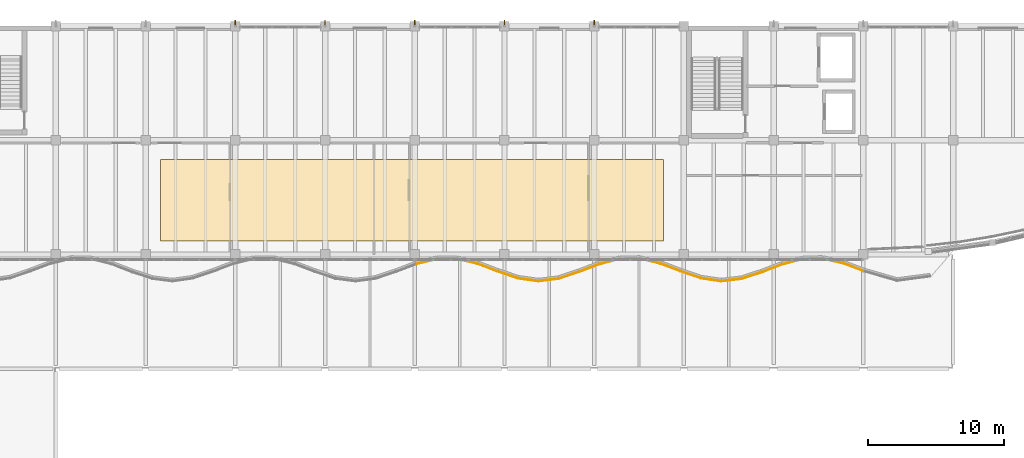
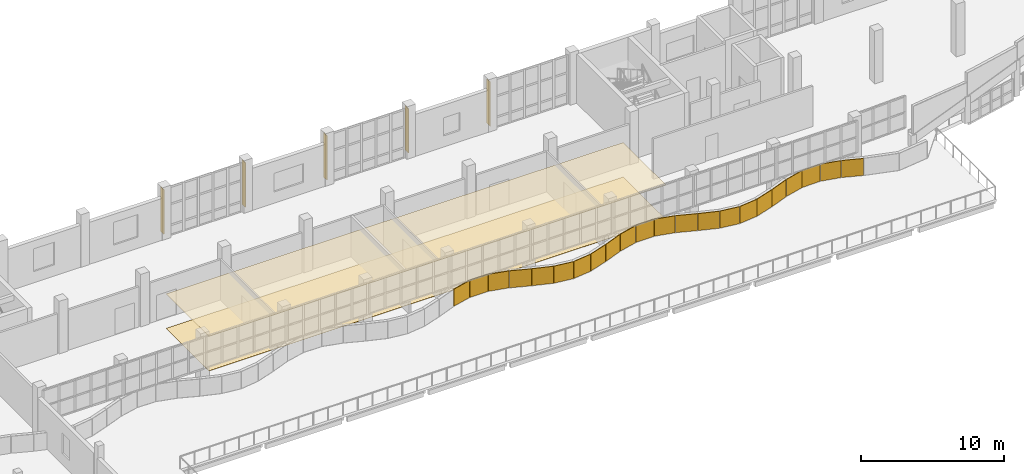
# One storey, part 76 of 83: 24 coverings, 5 shading devices.
"""IFC4 building model written with IfcOpenShell, lengths in metres."""

import ifcopenshell
import ifcopenshell.guid

model = None  # the IFC model being written
_history = None  # IfcOwnerHistory: only IFC2X3 demands one
_inside = {}  # id of a spatial element -> (the spatial element, [elements in it])
_under = {}  # id of a project, library or spatial element -> (it, [spatial elements below it])
_declared = {}  # id of a project -> (the project, [libraries it declares])
_typed = {}  # id of a type object -> (the type object, [elements of that type])
_made_of = {}  # id of a material, layer set ... -> (it, [elements and type objects made of it])


def new_model(schema):
    """Start an empty IFC model of exactly this schema.

    Asked for "IFC4X3", IfcOpenShell would pick the latest addendum, in which some entities
    have other attributes; the version numbers below select the first issue.
    IFC2X3 requires an IfcOwnerHistory on every rooted entity: one is made here for all.
    """
    global model, _history
    if schema == "IFC4X3":
        model = ifcopenshell.file(schema_version=(4, 3, 0, 0))
    else:
        model = ifcopenshell.file(schema=schema)
    _inside.clear()
    _under.clear()
    _declared.clear()
    _typed.clear()
    _made_of.clear()
    _history = None
    if model.schema == "IFC2X3":
        org = make("IfcOrganization", Name="unknown")
        user = make(
            "IfcPersonAndOrganization",
            ThePerson=make("IfcPerson", FamilyName="unknown"),
            TheOrganization=org,
        )
        app = make(
            "IfcApplication",
            ApplicationDeveloper=org,
            Version="unknown",
            ApplicationFullName="unknown",
            ApplicationIdentifier="unknown",
        )
        _history = make(
            "IfcOwnerHistory",
            OwningUser=user,
            OwningApplication=app,
            ChangeAction="ADDED",
            CreationDate=0,
        )
    return model


def make(cls, **values):
    """One entity of the class cls with the attributes given. An attribute that is None is left unset."""
    return model.create_entity(
        cls, **{name: value for name, value in values.items() if value is not None}
    )


def rooted(cls, **values):
    """An entity with a GlobalId (a new one), such as an element, a storey or a relation."""
    return make(cls, GlobalId=ifcopenshell.guid.new(), OwnerHistory=_history, **values)


def si_unit(unit_type, name, prefix=None):
    """IfcSIUnit, for example si_unit("LENGTHUNIT", "METRE", prefix="MILLI")."""
    return make("IfcSIUnit", UnitType=unit_type, Prefix=prefix, Name=name)


def assignment(units):
    """IfcUnitAssignment: the units of a project."""
    return None if units is None else make("IfcUnitAssignment", Units=units)


def point(xyz):
    """IfcCartesianPoint."""
    return None if xyz is None else make("IfcCartesianPoint", Coordinates=xyz)


def direction(xyz):
    """IfcDirection."""
    return None if xyz is None else make("IfcDirection", DirectionRatios=xyz)


def frame(location, z_axis=None, x_axis=None):
    """IfcAxis2Placement3D, a coordinate frame: its origin and axes. An axis left out is left unset."""
    return make(
        "IfcAxis2Placement3D",
        Location=point(location),
        Axis=direction(z_axis),
        RefDirection=direction(x_axis),
    )


def frame_2d(location, x_axis=None):
    """IfcAxis2Placement2D, a coordinate frame in the plane: its origin and x axis."""
    return make(
        "IfcAxis2Placement2D", Location=point(location), RefDirection=direction(x_axis)
    )


def origin():
    """The frame at (0, 0, 0) with its axes left unset."""
    return frame((0.0, 0.0, 0.0))


def origin_2d():
    """The frame at (0, 0) in the plane with its x axis left unset."""
    return frame_2d((0.0, 0.0))


def place(relative_to, where):
    """IfcLocalPlacement: puts the frame where relative to a parent placement (None: the world)."""
    return make(
        "IfcLocalPlacement", PlacementRelTo=relative_to, RelativePlacement=where
    )


def context(
    kind, dimensions, precision=None, world=None, true_north=None, identifier=None
):
    """IfcGeometricRepresentationContext, for example the 3D "Model" context."""
    return make(
        "IfcGeometricRepresentationContext",
        ContextIdentifier=identifier,
        ContextType=kind,
        CoordinateSpaceDimension=dimensions,
        Precision=precision,
        WorldCoordinateSystem=world,
        TrueNorth=true_north,
    )


def subcontext(parent, identifier, kind, view, scale=None):
    """IfcGeometricRepresentationSubContext, for example "Body" below "Model"."""
    return make(
        "IfcGeometricRepresentationSubContext",
        ContextIdentifier=identifier,
        ContextType=kind,
        ParentContext=parent,
        TargetScale=scale,
        TargetView=view,
    )


def project(units=None, contexts=None):
    """IfcProject with its units and contexts."""
    return rooted(
        "IfcProject",
        Name="project",
        RepresentationContexts=contexts,
        UnitsInContext=assignment(units),
    )


def spatial(cls, under=None, at=None, **own):
    """A site, building, storey or space (cls), placed at a placement, below another one or the project."""
    s = rooted(cls, ObjectPlacement=at, **own)
    if under is not None:
        _under.setdefault(under.id(), (under, []))[1].append(s)
    return s


def polyline(points):
    """IfcPolyline through the points."""
    return make("IfcPolyline", Points=[point(p) for p in points])


def profile(cls, at=None, kind="AREA", **sizes):
    """A parametric profile (cls). Its sizes go by their IFC names, for example OverallWidth=200.0."""
    return make(cls, ProfileType=kind, Position=at, **sizes)


def rectangle(**sizes):
    """IfcRectangleProfileDef."""
    return profile("IfcRectangleProfileDef", **sizes)


def outline(outer, holes=None, kind="AREA"):
    """IfcArbitraryClosedProfileDef: a profile drawn as a closed curve; with holes, ...WithVoids."""
    if holes is None:
        return make("IfcArbitraryClosedProfileDef", ProfileType=kind, OuterCurve=outer)
    return make(
        "IfcArbitraryProfileDefWithVoids",
        ProfileType=kind,
        OuterCurve=outer,
        InnerCurves=holes,
    )


def extrude(swept, where, along, depth):
    """IfcExtrudedAreaSolid: the profile swept, set in the frame where, extruded along a direction by depth."""
    return make(
        "IfcExtrudedAreaSolid",
        SweptArea=swept,
        Position=where,
        ExtrudedDirection=direction(along),
        Depth=depth,
    )


def shape(context_of_items, identifier, shape_type, items):
    """IfcShapeRepresentation: the items that make up one representation, for example the "Body"."""
    return make(
        "IfcShapeRepresentation",
        ContextOfItems=context_of_items,
        RepresentationIdentifier=identifier,
        RepresentationType=shape_type,
        Items=items,
    )


def material(Name=None, Category=None):
    """IfcMaterial."""
    return make("IfcMaterial", Name=Name, Category=Category)


def layer(
    of_material, thickness, ventilated=None, Name=None, Category=None, Priority=None
):
    """IfcMaterialLayer: one layer of a wall or slab, of a material (None: an air gap)."""
    return make(
        "IfcMaterialLayer",
        Material=of_material,
        LayerThickness=thickness,
        IsVentilated=ventilated,
        Name=Name,
        Category=Category,
        Priority=Priority,
    )


def layer_set(layers, Name=None):
    """IfcMaterialLayerSet."""
    return make("IfcMaterialLayerSet", MaterialLayers=layers, LayerSetName=Name)


def made_of(thing, what):
    """Note that an element or type object is made of a material, layer set ...; save() writes the relation."""
    if what is not None:
        _made_of.setdefault(what.id(), (what, []))[1].append(thing)
    return thing


def type_object(cls, material=None, **own):
    """A type object (cls), such as IfcWallType, which elements share."""
    return made_of(rooted(cls, **own), material)


def element(
    cls,
    number,
    at=None,
    inside=None,
    cuts=None,
    type_object=None,
    material=None,
    context=None,
    identifier="Body",
    shape_type=None,
    held_by="IfcProductDefinitionShape",
    body=None,
    shapes=None,
    **own,
):
    """One element of the class cls, such as IfcWall. Its Tag is "e" and its number.

    at: its placement. inside: the storey or other place that contains it. cuts: it is an
    opening in that element (IfcRelVoidsElement). A single representation is given by context,
    identifier, shape_type and body (its items); several are given by shapes. held_by: the class
    of the entity that holds the representations. save() writes the other relations.
    """
    e = rooted(cls, Tag="e%d" % number, ObjectPlacement=at, **own)
    if body is not None:
        shapes = [shape(context, identifier, shape_type, body)]
    if shapes is not None:
        e.Representation = make(held_by, Representations=shapes)
    if inside is not None:
        _inside.setdefault(inside.id(), (inside, []))[1].append(e)
    if cuts is not None:
        rooted(
            "IfcRelVoidsElement", RelatingBuildingElement=cuts, RelatedOpeningElement=e
        )
    if type_object is not None:
        _typed.setdefault(type_object.id(), (type_object, []))[1].append(e)
    return made_of(e, material)


def aggregate(whole, parts):
    """IfcRelAggregates: a whole, such as a stair, and the parts it consists of."""
    return rooted("IfcRelAggregates", RelatingObject=whole, RelatedObjects=parts)


def save(model, path):
    """Write the relations noted so far, then the file.

    IfcRelAggregates (storeys below a building ...), IfcRelContainedInSpatialStructure (elements
    in a storey), IfcRelDefinesByType, IfcRelAssociatesMaterial and IfcRelDeclares: one each for
    every whole, place, type object, material and project.
    """
    for whole, parts in _under.values():
        aggregate(whole, parts)
    for where, things in _inside.values():
        rooted(
            "IfcRelContainedInSpatialStructure",
            RelatedElements=things,
            RelatingStructure=where,
        )
    for kind, things in _typed.values():
        rooted("IfcRelDefinesByType", RelatedObjects=things, RelatingType=kind)
    for what, things in _made_of.values():
        rooted("IfcRelAssociatesMaterial", RelatedObjects=things, RelatingMaterial=what)
    for by, libraries in _declared.values():
        rooted("IfcRelDeclares", RelatingContext=by, RelatedDefinitions=libraries)
    model.write(path)


model = new_model("IFC4")

# Units and contexts
model_context = context("Model", 3, precision=1e-05, world=origin(), true_north=direction((0.0, 1.0)))
body_context = subcontext(model_context, "Body", "Model", "MODEL_VIEW")
ifc_project = project(units=[si_unit("LENGTHUNIT", "METRE"), si_unit("AREAUNIT", "SQUARE_METRE"), si_unit("VOLUMEUNIT", "CUBIC_METRE"), si_unit("PLANEANGLEUNIT", "RADIAN"), si_unit("MASSUNIT", "GRAM", prefix="KILO")], contexts=[model_context])

# Site, building, storey
site_placement = place(None, origin())
site = spatial("IfcSite", under=ifc_project, at=site_placement, CompositionType="ELEMENT")
building_placement = place(site_placement, origin())
building = spatial("IfcBuilding", under=site, at=building_placement, Name="Qaldarim Faculty of Natural and Applied Sciences", CompositionType="ELEMENT")
storey_placement = place(building_placement, frame((0.0, 0.0, 5.39990234375)))
storey = spatial("IfcBuildingStorey", under=building, at=storey_placement, Name="L01", CompositionType="ELEMENT", Elevation=5.39990234375)

# Coverings
ifc_material_1 = material(Name="Acoustic mineral fibre")
ifc_layer_1 = layer(ifc_material_1, 0.02001953125)
ifc_layer_set_1 = layer_set([ifc_layer_1], Name="Acoustic mineral fibre")
covering_type_1 = type_object("IfcCoveringType", Name="AcousticMineralCeiling-20", PredefinedType="CEILING", material=ifc_layer_set_1)
covering_1_placement = place(storey_placement, frame((0.0, 0.0, 2.9501953125)))
element("IfcCovering", 1, at=covering_1_placement, inside=storey, type_object=covering_type_1, Name="Acoustic mineral-fibre laboratory ceiling L01", PredefinedType="CEILING", context=body_context, shape_type="SweptSolid", body=[
    extrude(outline(polyline([(60.5, 101.800048828125), (97.5, 101.800048828125), (97.5, 107.800048828125), (60.5, 107.800048828125), (60.5, 101.800048828125)])), origin(), (0.0, 0.0, 1.0), 0.02001953125),
])
ifc_material_2 = material(Name="Chemical-resistant epoxy finish")
ifc_layer_2 = layer(ifc_material_2, 0.014892578125)
ifc_layer_set_2 = layer_set([ifc_layer_2], Name="Chemical-resistant epoxy finish")
covering_type_2 = type_object("IfcCoveringType", Name="LabEpoxyFlooring-15", PredefinedType="FLOORING", material=ifc_layer_set_2)
covering_2_placement = place(storey_placement, origin())
element("IfcCovering", 2, at=covering_2_placement, inside=storey, type_object=covering_type_2, Name="Chemical-resistant epoxy laboratory flooring L01", PredefinedType="FLOORING", context=body_context, shape_type="SweptSolid", body=[
    extrude(outline(polyline([(60.5, 101.800048828125), (97.5, 101.800048828125), (97.5, 107.800048828125), (60.5, 107.800048828125), (60.5, 101.800048828125)])), origin(), (0.0, 0.0, 1.0), 0.01513671875),
])
ifc_material_3 = material(Name="White architectural precast concrete C40/50", Category="concrete")
ifc_layer_3 = layer(ifc_material_3, 0.06005859375)
ifc_layer_set_3 = layer_set([ifc_layer_3], Name="White architectural precast concrete C40/50")
covering_type_3 = type_object("IfcCoveringType", Name="LimestoneSpandrelCladding-60", PredefinedType="CLADDING", material=ifc_layer_set_3)
covering_3_placement = place(storey_placement, frame((80.06494140625, 100.284912109375, 0.0), z_axis=(0.0, 0.0, 1.0), x_axis=(0.969952747754, 0.243293376657, 0.0)))
element("IfcCovering", 3, at=covering_3_placement, inside=storey, type_object=covering_type_3, Name="White limestone wave band fascia L01 chord 32", PredefinedType="CLADDING", context=body_context, shape_type="SweptSolid", body=[
    extrude(rectangle(XDim=1.5, YDim=0.06005859375, at=origin_2d()), origin(), (0.0, 0.0, 1.0), 1.449951171875),
])
covering_4_placement = place(storey_placement, frame((81.570068359375, 100.47998046875, 0.0), z_axis=(0.0, 0.0, 1.0), x_axis=(0.999994385297, 0.003351025892, 0.0)))
element("IfcCovering", 4, at=covering_4_placement, inside=storey, type_object=covering_type_3, Name="White limestone wave band fascia L01 chord 33", PredefinedType="CLADDING", context=body_context, shape_type="SweptSolid", body=[
    extrude(rectangle(XDim=1.455078125, YDim=0.06005859375, at=origin_2d()), origin(), (0.0, 0.0, 1.0), 1.449951171875),
])
covering_5_placement = place(storey_placement, frame((83.070068359375, 100.294921875, 0.0), z_axis=(0.0, 0.0, 1.0), x_axis=(0.9714663887, -0.23717726625, 0.0)))
element("IfcCovering", 5, at=covering_5_placement, inside=storey, type_object=covering_type_3, Name="White limestone wave band fascia L01 chord 34", PredefinedType="CLADDING", context=body_context, shape_type="SweptSolid", body=[
    extrude(rectangle(XDim=1.5, YDim=0.06005859375, at=origin_2d()), origin(), (0.0, 0.0, 1.0), 1.449951171875),
])
covering_6_placement = place(storey_placement, frame((84.56494140625, 99.824951171875, 0.0), z_axis=(0.0, 0.0, 1.0), x_axis=(0.933992617259, -0.357292304571, 0.0)))
element("IfcCovering", 6, at=covering_6_placement, inside=storey, type_object=covering_type_3, Name="White limestone wave band fascia L01 chord 35", PredefinedType="CLADDING", context=body_context, shape_type="SweptSolid", body=[
    extrude(rectangle(XDim=1.554931640625, YDim=0.06005859375, at=origin_2d()), origin(), (0.0, 0.0, 1.0), 1.449951171875),
])
covering_7_placement = place(storey_placement, frame((86.054931640625, 99.294921875, 0.0), z_axis=(0.0, 0.0, 1.0), x_axis=(0.947405952336, -0.32003431297, 0.0)))
element("IfcCovering", 7, at=covering_7_placement, inside=storey, type_object=covering_type_3, Name="White limestone wave band fascia L01 chord 36", PredefinedType="CLADDING", context=body_context, shape_type="SweptSolid", body=[
    extrude(rectangle(XDim=1.5400390625, YDim=0.06005859375, at=origin_2d()), origin(), (0.0, 0.0, 1.0), 1.449951171875),
])
covering_8_placement = place(storey_placement, frame((87.544921875, 98.93505859375, 0.0), z_axis=(0.0, 0.0, 1.0), x_axis=(0.990277782444, -0.139103966868, 0.0)))
element("IfcCovering", 8, at=covering_8_placement, inside=storey, type_object=covering_type_3, Name="White limestone wave band fascia L01 chord 37", PredefinedType="CLADDING", context=body_context, shape_type="SweptSolid", body=[
    extrude(rectangle(XDim=1.469970703125, YDim=0.06005859375, at=origin_2d()), origin(), (0.0, 0.0, 1.0), 1.449951171875),
])
covering_9_placement = place(storey_placement, frame((89.034912109375, 98.925048828125, 0.0), z_axis=(0.0, 0.0, 1.0), x_axis=(0.992430851686, 0.12280474185, 0.0)))
element("IfcCovering", 9, at=covering_9_placement, inside=storey, type_object=covering_type_3, Name="White limestone wave band fascia L01 chord 38", PredefinedType="CLADDING", context=body_context, shape_type="SweptSolid", body=[
    extrude(rectangle(XDim=1.465087890625, YDim=0.06005859375, at=origin_2d()), origin(), (0.0, 0.0, 1.0), 1.449951171875),
])
covering_10_placement = place(storey_placement, frame((90.52001953125, 99.264892578125, 0.0), z_axis=(0.0, 0.0, 1.0), x_axis=(0.949315815758, 0.314323848843, 0.0)))
element("IfcCovering", 10, at=covering_10_placement, inside=storey, type_object=covering_type_3, Name="White limestone wave band fascia L01 chord 39", PredefinedType="CLADDING", context=body_context, shape_type="SweptSolid", body=[
    extrude(rectangle(XDim=1.534912109375, YDim=0.06005859375, at=origin_2d()), origin(), (0.0, 0.0, 1.0), 1.449951171875),
])
covering_11_placement = place(storey_placement, frame((92.014892578125, 99.794921875, 0.0), z_axis=(0.0, 0.0, 1.0), x_axis=(0.933342542564, 0.358987044669, 0.0)))
element("IfcCovering", 11, at=covering_11_placement, inside=storey, type_object=covering_type_3, Name="White limestone wave band fascia L01 chord 40", PredefinedType="CLADDING", context=body_context, shape_type="SweptSolid", body=[
    extrude(rectangle(XDim=1.56005859375, YDim=0.06005859375, at=origin_2d()), origin(), (0.0, 0.0, 1.0), 1.449951171875),
])
covering_12_placement = place(storey_placement, frame((93.514892578125, 100.27490234375, 0.0), z_axis=(0.0, 0.0, 1.0), x_axis=(0.968404954405, 0.249382927008, 0.0)))
element("IfcCovering", 12, at=covering_12_placement, inside=storey, type_object=covering_type_3, Name="White limestone wave band fascia L01 chord 41", PredefinedType="CLADDING", context=body_context, shape_type="SweptSolid", body=[
    extrude(rectangle(XDim=1.5048828125, YDim=0.06005859375, at=origin_2d()), origin(), (0.0, 0.0, 1.0), 1.449951171875),
])
covering_13_placement = place(storey_placement, frame((95.014892578125, 100.47998046875, 0.0), z_axis=(0.0, 0.0, 1.0), x_axis=(0.999909931921, 0.013421178993, 0.0)))
element("IfcCovering", 13, at=covering_13_placement, inside=storey, type_object=covering_type_3, Name="White limestone wave band fascia L01 chord 42", PredefinedType="CLADDING", context=body_context, shape_type="SweptSolid", body=[
    extrude(rectangle(XDim=1.449951171875, YDim=0.06005859375, at=origin_2d()), origin(), (0.0, 0.0, 1.0), 1.449951171875),
])
covering_14_placement = place(storey_placement, frame((96.514892578125, 100.31005859375, 0.0), z_axis=(0.0, 0.0, 1.0), x_axis=(0.972210793931, -0.234107180934, 0.0)))
element("IfcCovering", 14, at=covering_14_placement, inside=storey, type_object=covering_type_3, Name="White limestone wave band fascia L01 chord 43", PredefinedType="CLADDING", context=body_context, shape_type="SweptSolid", body=[
    extrude(rectangle(XDim=1.5, YDim=0.06005859375, at=origin_2d()), origin(), (0.0, 0.0, 1.0), 1.449951171875),
])
covering_15_placement = place(storey_placement, frame((98.014892578125, 99.844970703125, 0.0), z_axis=(0.0, 0.0, 1.0), x_axis=(0.935425521648, -0.35352382303, 0.0)))
element("IfcCovering", 15, at=covering_15_placement, inside=storey, type_object=covering_type_3, Name="White limestone wave band fascia L01 chord 44", PredefinedType="CLADDING", context=body_context, shape_type="SweptSolid", body=[
    extrude(rectangle(XDim=1.56005859375, YDim=0.06005859375, at=origin_2d()), origin(), (0.0, 0.0, 1.0), 1.449951171875),
])
covering_16_placement = place(storey_placement, frame((99.5048828125, 99.304931640625, 0.0), z_axis=(0.0, 0.0, 1.0), x_axis=(0.945473108493, -0.325700170581, 0.0)))
element("IfcCovering", 16, at=covering_16_placement, inside=storey, type_object=covering_type_3, Name="White limestone wave band fascia L01 chord 45", PredefinedType="CLADDING", context=body_context, shape_type="SweptSolid", body=[
    extrude(rectangle(XDim=1.5400390625, YDim=0.06005859375, at=origin_2d()), origin(), (0.0, 0.0, 1.0), 1.449951171875),
])
covering_17_placement = place(storey_placement, frame((100.9951171875, 98.93994140625, 0.0), z_axis=(0.0, 0.0, 1.0), x_axis=(0.989346145507, -0.145582294149, 0.0)))
element("IfcCovering", 17, at=covering_17_placement, inside=storey, type_object=covering_type_3, Name="White limestone wave band fascia L01 chord 46", PredefinedType="CLADDING", context=body_context, shape_type="SweptSolid", body=[
    extrude(rectangle(XDim=1.469970703125, YDim=0.06005859375, at=origin_2d()), origin(), (0.0, 0.0, 1.0), 1.449951171875),
])
covering_18_placement = place(storey_placement, frame((102.485107421875, 98.919921875, 0.0), z_axis=(0.0, 0.0, 1.0), x_axis=(0.99321943333, 0.116254708527, 0.0)))
element("IfcCovering", 18, at=covering_18_placement, inside=storey, type_object=covering_type_3, Name="White limestone wave band fascia L01 chord 47", PredefinedType="CLADDING", context=body_context, shape_type="SweptSolid", body=[
    extrude(rectangle(XDim=1.465087890625, YDim=0.06005859375, at=origin_2d()), origin(), (0.0, 0.0, 1.0), 1.449951171875),
])
covering_19_placement = place(storey_placement, frame((103.969970703125, 99.25, 0.0), z_axis=(0.0, 0.0, 1.0), x_axis=(0.951196645833, 0.308585386816, 0.0)))
element("IfcCovering", 19, at=covering_19_placement, inside=storey, type_object=covering_type_3, Name="White limestone wave band fascia L01 chord 48", PredefinedType="CLADDING", context=body_context, shape_type="SweptSolid", body=[
    extrude(rectangle(XDim=1.530029296875, YDim=0.06005859375, at=origin_2d()), origin(), (0.0, 0.0, 1.0), 1.449951171875),
])
covering_20_placement = place(storey_placement, frame((105.465087890625, 99.77490234375, 0.0), z_axis=(0.0, 0.0, 1.0), x_axis=(0.933342542564, 0.358987044669, 0.0)))
element("IfcCovering", 20, at=covering_20_placement, inside=storey, type_object=covering_type_3, Name="White limestone wave band fascia L01 chord 49", PredefinedType="CLADDING", context=body_context, shape_type="SweptSolid", body=[
    extrude(rectangle(XDim=1.56005859375, YDim=0.06005859375, at=origin_2d()), origin(), (0.0, 0.0, 1.0), 1.449951171875),
])
covering_21_placement = place(storey_placement, frame((106.965087890625, 100.260009765625, 0.0), z_axis=(0.0, 0.0, 1.0), x_axis=(0.966609047615, 0.256255632268, 0.0)))
element("IfcCovering", 21, at=covering_21_placement, inside=storey, type_object=covering_type_3, Name="White limestone wave band fascia L01 chord 50", PredefinedType="CLADDING", context=body_context, shape_type="SweptSolid", body=[
    extrude(rectangle(XDim=1.5, YDim=0.06005859375, at=origin_2d()), origin(), (0.0, 0.0, 1.0), 1.449951171875),
])
covering_22_placement = place(storey_placement, frame((108.4599609375, 100.47998046875, 0.0), z_axis=(0.0, 0.0, 1.0), x_axis=(0.999726118644, 0.023402728511, 0.0)))
element("IfcCovering", 22, at=covering_22_placement, inside=storey, type_object=covering_type_3, Name="White limestone wave band fascia L01 chord 51", PredefinedType="CLADDING", context=body_context, shape_type="SweptSolid", body=[
    extrude(rectangle(XDim=1.455078125, YDim=0.06005859375, at=origin_2d()), origin(), (0.0, 0.0, 1.0), 1.449951171875),
])
covering_23_placement = place(storey_placement, frame((109.965087890625, 100.320068359375, 0.0), z_axis=(0.0, 0.0, 1.0), x_axis=(0.974389691758, -0.224866023659, 0.0)))
element("IfcCovering", 23, at=covering_23_placement, inside=storey, type_object=covering_type_3, Name="White limestone wave band fascia L01 chord 52", PredefinedType="CLADDING", context=body_context, shape_type="SweptSolid", body=[
    extrude(rectangle(XDim=1.4951171875, YDim=0.06005859375, at=origin_2d()), origin(), (0.0, 0.0, 1.0), 1.449951171875),
])
covering_24_placement = place(storey_placement, frame((111.465087890625, 99.864990234375, 0.0), z_axis=(0.0, 0.0, 1.0), x_axis=(0.935425521648, -0.35352382303, 0.0)))
element("IfcCovering", 24, at=covering_24_placement, inside=storey, type_object=covering_type_3, Name="White limestone wave band fascia L01 chord 53", PredefinedType="CLADDING", context=body_context, shape_type="SweptSolid", body=[
    extrude(rectangle(XDim=1.56005859375, YDim=0.06005859375, at=origin_2d()), origin(), (0.0, 0.0, 1.0), 1.449951171875),
])

# Shading devices
ifc_material_4 = material(Name="Champagne anodised aluminium AW-6063", Category="aluminium")
ifc_layer_4 = layer(ifc_material_4, 0.06005859375)
ifc_layer_set_4 = layer_set([ifc_layer_4], Name="Champagne anodised aluminium AW-6063")
shading_device_type = type_object("IfcShadingDeviceType", Name="VerticalSunFin-ALU450x60", PredefinedType="SHUTTER", material=ifc_layer_set_4)
for number, where, z_axis, x_axis, name in (
    (25, (66.0, 117.824951171875, 0.2001953125), (0.0, 0.0, 1.0), (1.0, 0.0, 0.0), "North pier fin FIN-V4N-L01-X11"),
    (26, (72.60009765625, 117.824951171875, 0.2001953125), (0.0, 0.0, 1.0), (1.0, 0.0, 0.0), "North pier fin FIN-V4N-L01-X12"),
    (27, (79.199951171875, 117.824951171875, 0.2001953125), (0.0, 0.0, 1.0), (1.0, 0.0, 0.0), "North pier fin FIN-V4N-L01-X13"),
    (28, (85.800048828125, 117.824951171875, 0.2001953125), (0.0, 0.0, 1.0), (1.0, 0.0, 0.0), "North pier fin FIN-V4N-L01-X14"),
    (29, (92.39990234375, 117.824951171875, 0.2001953125), (0.0, 0.0, 1.0), (1.0, 0.0, 0.0), "North pier fin FIN-V4N-L01-X15"),
):
    element("IfcShadingDevice", number, at=place(storey_placement, frame(where, z_axis=z_axis, x_axis=x_axis)), inside=storey, type_object=shading_device_type, Name=name, PredefinedType="SHUTTER", context=body_context, shape_type="SweptSolid", body=[
        extrude(rectangle(XDim=0.06005859375, YDim=0.449951171875, at=origin_2d()), origin(), (0.0, 0.0, 1.0), 3.800048828125),
    ])

save(model, "model.ifc")
